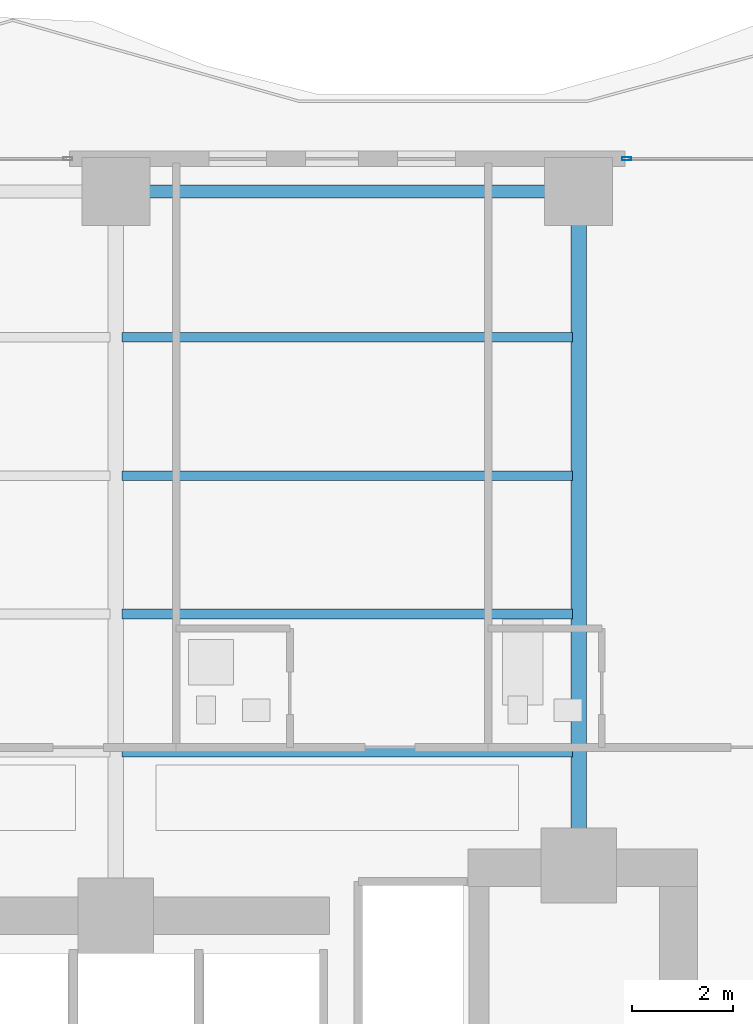
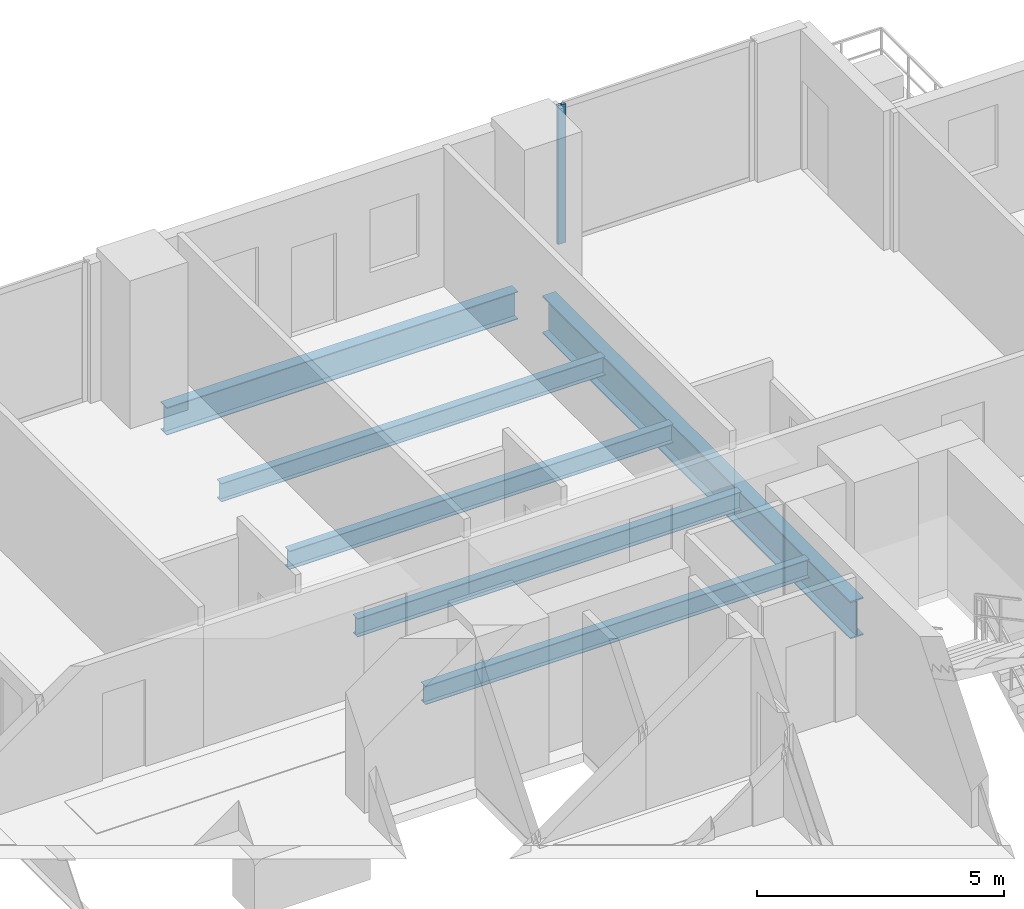
# One storey, part 17 of 28: 6 beams, 1 member, 1 element without a shape of its own.
"""IFC4 building model written with IfcOpenShell, lengths in metres."""

from ifc_helpers import new_model, si_unit, direction, frame, origin, origin_2d, place, context, subcontext, project, spatial, hollow_rectangle, i_section, extrude, material, layer, layer_set, material_profile, profile_set, type_object, element, aggregate, save


model = new_model("IFC4")

# Units and contexts
model_context = context("Model", 3, precision=1e-05, world=origin(), true_north=direction((0.0, 1.0)))
body_context = subcontext(model_context, "Body", "Model", "MODEL_VIEW")
ifc_project = project(units=[si_unit("LENGTHUNIT", "METRE"), si_unit("AREAUNIT", "SQUARE_METRE"), si_unit("VOLUMEUNIT", "CUBIC_METRE"), si_unit("PLANEANGLEUNIT", "RADIAN"), si_unit("MASSUNIT", "GRAM", prefix="KILO")], contexts=[model_context])

# Site, building, storey
site_placement = place(None, origin())
site = spatial("IfcSite", under=ifc_project, at=site_placement, CompositionType="ELEMENT")
building_placement = place(site_placement, origin())
building = spatial("IfcBuilding", under=site, at=building_placement, Name="Zuhayl Quay Hotel", CompositionType="ELEMENT")
storey_placement = place(building_placement, frame((0.0, 0.0, 99.300048828125)))
storey = spatial("IfcBuildingStorey", under=building, at=storey_placement, Name="L24", CompositionType="ELEMENT", Elevation=99.300048828125)

# Beams
ifc_material_1 = material(Name="Steel ASTM A992 Grade 50", Category="steel")
ifc_material_profile_1 = material_profile(ifc_material_1, i_section(OverallWidth=0.25390625, OverallDepth=0.68310546875, WebThickness=0.012451171875, FlangeThickness=0.018798828125, at=origin_2d()), Name="W27X94")
ifc_profile_set_1 = profile_set([ifc_material_profile_1], Name="Steel ASTM A992 Grade 50")
beam_type_1 = type_object("IfcBeamType", Name="BM_B2_W27X94", PredefinedType="BEAM", material=ifc_profile_set_1)
beam_1_placement = place(storey_placement, frame((13.300048828125, 27.75, -0.5615234375), z_axis=(-1.0, 0.0, 0.0), x_axis=(0.0, -1.0, 0.0)))
element("IfcBeam", 1, at=beam_1_placement, inside=storey, type_object=beam_type_1, Name="L24 Floor Beam RG_L24_07", PredefinedType="BEAM", context=body_context, shape_type="SweptSolid", body=[
    extrude(i_section(OverallWidth=0.25390625, OverallDepth=0.68310546875, WebThickness=0.012451171875, FlangeThickness=0.018798828125, at=origin_2d()), origin(), (0.0, 0.0, 1.0), 8.199951171875),
])
ifc_material_profile_2 = material_profile(ifc_material_1, i_section(OverallWidth=0.18994140625, OverallDepth=0.45703125, WebThickness=0.009033203125, FlangeThickness=0.014404296875, at=origin_2d()), Name="W18X50")
ifc_profile_set_2 = profile_set([ifc_material_profile_2], Name="Steel ASTM A992 Grade 50")
beam_type_2 = type_object("IfcBeamType", Name="BM_J2_W18X50", PredefinedType="JOIST", material=ifc_profile_set_2)
for number, where, z_axis, x_axis, name in (
    (2, (4.718994140625, 16.60009765625, -0.448486328125), (1.0, 0.0, 0.0), (0.0, 1.0, 0.0), "L24 Floor Beam FJ_L24_1_3"),
    (3, (4.718994140625, 19.35009765625, -0.448486328125), (1.0, 0.0, 0.0), (0.0, 1.0, 0.0), "L24 Floor Beam FJ_L24_2_3"),
    (4, (4.718994140625, 22.10009765625, -0.448486328125), (1.0, 0.0, 0.0), (0.0, 1.0, 0.0), "L24 Floor Beam FJ_L24_3_3"),
    (5, (4.718994140625, 24.85009765625, -0.448486328125), (1.0, 0.0, 0.0), (0.0, 1.0, 0.0), "L24 Floor Beam FJ_L24_4_3"),
):
    element("IfcBeam", number, at=place(storey_placement, frame(where, z_axis=z_axis, x_axis=x_axis)), inside=storey, type_object=beam_type_2, Name=name, PredefinedType="JOIST", context=body_context, shape_type="SweptSolid", body=[
        extrude(i_section(OverallWidth=0.18994140625, OverallDepth=0.45703125, WebThickness=0.009033203125, FlangeThickness=0.014404296875, at=origin_2d()), origin(), (0.0, 0.0, 1.0), 8.9619140625),
    ])
ifc_material_profile_3 = material_profile(ifc_material_1, i_section(OverallWidth=0.306884765625, OverallDepth=0.927001953125, WebThickness=0.019287109375, FlangeThickness=0.031982421875, at=origin_2d()), Name="W36X194")
ifc_profile_set_3 = profile_set([ifc_material_profile_3], Name="Steel ASTM A992 Grade 50")
beam_type_3 = type_object("IfcBeamType", Name="BM_PG2_W36X194", PredefinedType="BEAM", material=ifc_profile_set_3)
beam_2_placement = place(storey_placement, frame((13.800048828125, 14.800048828125, -0.68359375), z_axis=(0.0, 1.0, 0.0), x_axis=(-1.0, 0.0, 0.0)))
element("IfcBeam", 6, at=beam_2_placement, inside=storey, type_object=beam_type_3, Name="L24 Floor Beam FG_N_L24_4", PredefinedType="BEAM", context=body_context, shape_type="SweptSolid", body=[
    extrude(i_section(OverallWidth=0.306884765625, OverallDepth=0.927001953125, WebThickness=0.019287109375, FlangeThickness=0.031982421875, at=origin_2d()), origin(), (0.0, 0.0, 1.0), 12.449951171875),
])

# Curtain wall, member
ifc_material_2 = material(Name="Anodised Aluminium 6063-T6", Category="aluminium")
ifc_layer = layer(ifc_material_2, 0.179931640625, Name="Anodised Aluminium 6063-T6", Category="aluminium")
ifc_layer_set = layer_set([ifc_layer], Name="Anodised Aluminium 6063-T6")
curtain_wall_type = type_object("IfcCurtainWallType", Name="CW_SYS_Z2", PredefinedType="USERDEFINED", material=ifc_layer_set)
curtain_wall_placement = place(storey_placement, origin())
curtain_wall = element("IfcCurtainWall", 7, at=curtain_wall_placement, inside=storey, type_object=curtain_wall_type, Name="L24 Curtain Wall ENV_L24_N_CW4", ObjectType="UNITISED CURTAIN WALL", PredefinedType="USERDEFINED")
ifc_material_3 = material(Name="Black-anodised aluminium 6063-T6", Category="aluminium")
ifc_material_profile_4 = material_profile(ifc_material_3, hollow_rectangle(XDim=0.06494140625, YDim=0.179931640625, WallThickness=0.00341796875, at=origin_2d()), Name="ALU180X65")
ifc_profile_set_4 = profile_set([ifc_material_profile_4], Name="Black-anodised aluminium 6063-T6")
member_type = type_object("IfcMemberType", Name="MB_CW_MUL_180", PredefinedType="MULLION", material=ifc_profile_set_4)
member_placement = place(storey_placement, frame((14.75244140625, 28.39990234375, 0.0), z_axis=(0.0, 0.0, 1.0), x_axis=(0.0, 1.0, 0.0)))
member = element("IfcMember", 8, at=member_placement, type_object=member_type, Name="CW-Z2 mullion 1", PredefinedType="MULLION", context=body_context, shape_type="SweptSolid", body=[
    extrude(hollow_rectangle(XDim=0.06494140625, YDim=0.179931640625, WallThickness=0.00341796875, at=origin_2d()), origin(), (0.0, 0.0, 1.0), 3.429931640625),
])
aggregate(curtain_wall, [member])

save(model, "model.ifc")
